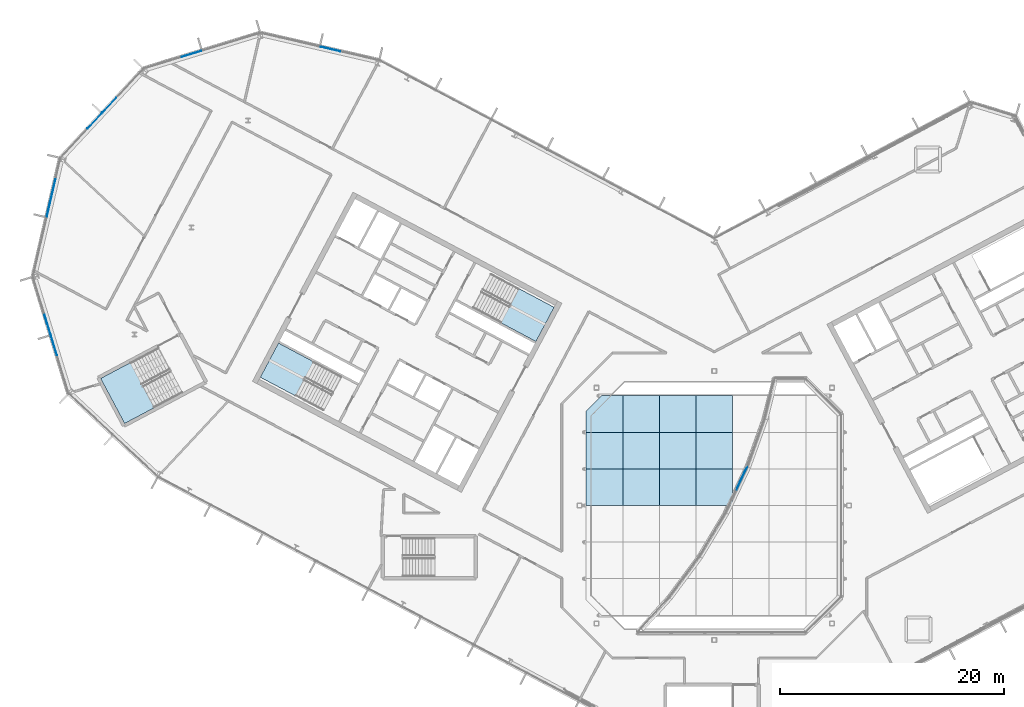
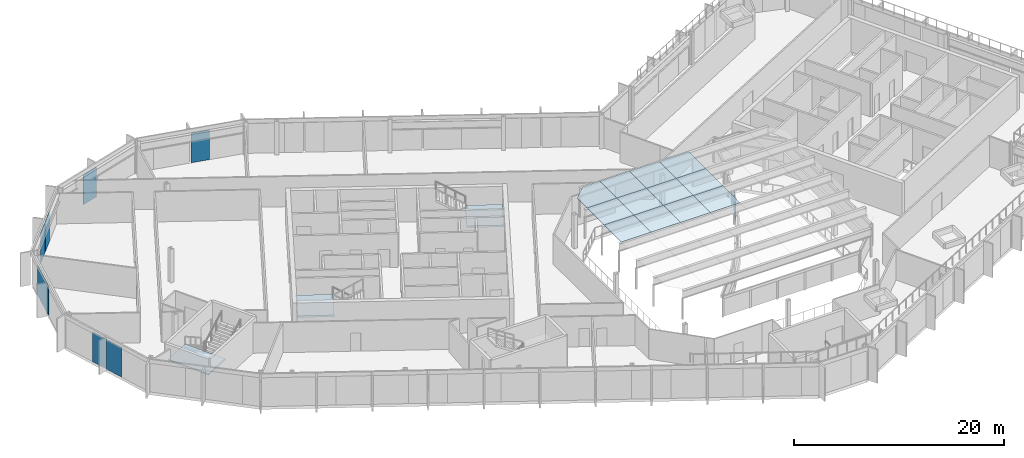
# One storey, part 20 of 35: 20 plates, 3 slabs, 10 elements without a shape of their own.
"""IFC4 building model written with IfcOpenShell, lengths in metres."""

from ifc_helpers import new_model, si_unit, direction, frame, origin, origin_2d, place, context, subcontext, project, spatial, polyline, rectangle, outline, extrude, material, layer, layer_set, type_object, element, aggregate, save


model = new_model("IFC4")

# Units and contexts
model_context = context("Model", 3, precision=1e-05, world=origin(), true_north=direction((0.0, 1.0)))
body_context = subcontext(model_context, "Body", "Model", "MODEL_VIEW")
ifc_project = project(units=[si_unit("LENGTHUNIT", "METRE"), si_unit("AREAUNIT", "SQUARE_METRE"), si_unit("VOLUMEUNIT", "CUBIC_METRE"), si_unit("PLANEANGLEUNIT", "RADIAN"), si_unit("MASSUNIT", "GRAM", prefix="KILO")], contexts=[model_context])

# Site, building, storey
site_placement = place(None, origin())
site = spatial("IfcSite", under=ifc_project, at=site_placement, CompositionType="ELEMENT")
building_placement = place(site_placement, origin())
building = spatial("IfcBuilding", under=site, at=building_placement, Name="Cormorant Relay Tower", CompositionType="ELEMENT")
storey_placement = place(building_placement, frame((0.0, 0.0, 324.300048828125)))
storey = spatial("IfcBuildingStorey", under=building, at=storey_placement, Name="L74", CompositionType="ELEMENT", Elevation=324.300048828125)

# Curtain wall, plate
ifc_material_1 = material(Name="Aluminium 6063-T6 anodised bronze", Category="aluminium")
ifc_layer_1 = layer(ifc_material_1, 0.199951171875)
ifc_layer_set_1 = layer_set([ifc_layer_1], Name="CW1 unitised bronze curtain wall with vertical fins")
curtain_wall_type_1 = type_object("IfcCurtainWallType", Name="CW1 unitised bronze curtain wall with vertical fins", PredefinedType="NOTDEFINED", material=ifc_layer_set_1)
curtain_wall_1_placement = place(storey_placement, origin())
curtain_wall_1 = element("IfcCurtainWall", 1, at=curtain_wall_1_placement, inside=storey, type_object=curtain_wall_type_1, Name="CW1 curtain wall 10", PredefinedType="NOTDEFINED")
ifc_material_2 = material(Name="Tinted laminated glass", Category="glass")
ifc_layer_2 = layer(ifc_material_2, 0.0400390625)
ifc_layer_set_2 = layer_set([ifc_layer_2], Name="CW1 tinted vision panel 1800 module")
plate_type_1 = type_object("IfcPlateType", Name="CW1 tinted vision panel 1800 module", PredefinedType="CURTAIN_PANEL", material=ifc_layer_set_2)
plate_1_placement = place(storey_placement, frame((-34.215087890625, 40.69091796875, 0.0), z_axis=(0.0, 0.0, 1.0), x_axis=(-0.974370064785, 0.224951054344, 0.0)))
plate_1 = element("IfcPlate", 2, at=plate_1_placement, type_object=plate_type_1, Name="CW1 panel V01", PredefinedType="CURTAIN_PANEL", context=body_context, shape_type="SweptSolid", body=[
    extrude(rectangle(XDim=1.800048828125, YDim=0.0400390625, at=origin_2d()), origin(), (0.0, 0.0, 1.0), 3.449951171875),
])
aggregate(curtain_wall_1, [plate_1])

curtain_wall_2_placement = place(storey_placement, origin())
curtain_wall_2 = element("IfcCurtainWall", 3, at=curtain_wall_2_placement, inside=storey, type_object=curtain_wall_type_1, Name="CW1 curtain wall 11", PredefinedType="NOTDEFINED")
plate_2_placement = place(storey_placement, frame((-46.6015625, 40.25830078125, 0.0), z_axis=(0.0, 0.0, 1.0), x_axis=(-0.956304755963, -0.292371704723, 0.0)))
plate_2 = element("IfcPlate", 4, at=plate_2_placement, type_object=plate_type_1, Name="CW1 panel V01", PredefinedType="CURTAIN_PANEL", context=body_context, shape_type="SweptSolid", body=[
    extrude(rectangle(XDim=1.800048828125, YDim=0.0400390625, at=origin_2d()), origin(), (0.0, 0.0, 1.0), 3.449951171875),
])
aggregate(curtain_wall_2, [plate_2])

# Curtain wall, plates
curtain_wall_3_placement = place(storey_placement, origin())
curtain_wall_3 = element("IfcCurtainWall", 5, at=curtain_wall_3_placement, inside=storey, type_object=curtain_wall_type_1, Name="CW1 curtain wall 12", PredefinedType="NOTDEFINED")
plate_3_placement = place(storey_placement, frame((-53.91748046875, 35.68701171875, 0.0), z_axis=(0.0, 0.0, 1.0), x_axis=(-0.681998360062, -0.731353701619, 0.0)))
plate_3 = element("IfcPlate", 6, at=plate_3_placement, type_object=plate_type_1, Name="CW1 panel V01", PredefinedType="CURTAIN_PANEL", context=body_context, shape_type="SweptSolid", body=[
    extrude(rectangle(XDim=1.800048828125, YDim=0.0400390625, at=origin_2d()), origin(), (0.0, 0.0, 1.0), 3.449951171875),
])
plate_4_placement = place(storey_placement, frame((-55.247314453125, 34.2607421875, 0.0), z_axis=(0.0, 0.0, 1.0), x_axis=(-0.681998360062, -0.731353701619, 0.0)))
plate_4 = element("IfcPlate", 7, at=plate_4_placement, type_object=plate_type_1, Name="CW1 panel V02", PredefinedType="CURTAIN_PANEL", context=body_context, shape_type="SweptSolid", body=[
    extrude(rectangle(XDim=1.800048828125, YDim=0.0400390625, at=origin_2d()), origin(), (0.0, 0.0, 1.0), 3.449951171875),
])
aggregate(curtain_wall_3, [plate_3, plate_4])

curtain_wall_4_placement = place(storey_placement, origin())
curtain_wall_4 = element("IfcCurtainWall", 8, at=curtain_wall_4_placement, inside=storey, type_object=curtain_wall_type_1, Name="CW1 curtain wall 14", PredefinedType="NOTDEFINED")
plate_5_placement = place(storey_placement, frame((-59.434814453125, 16.122314453125, 0.0), z_axis=(0.0, 0.0, 1.0), x_axis=(0.292371704723, -0.956304755963, 0.0)))
plate_5 = element("IfcPlate", 9, at=plate_5_placement, type_object=plate_type_1, Name="CW1 panel V01", PredefinedType="CURTAIN_PANEL", context=body_context, shape_type="SweptSolid", body=[
    extrude(rectangle(XDim=1.800048828125, YDim=0.0400390625, at=origin_2d()), origin(), (0.0, 0.0, 1.0), 3.449951171875),
])
plate_6_placement = place(storey_placement, frame((-58.86474609375, 14.25732421875, 0.0), z_axis=(0.0, 0.0, 1.0), x_axis=(0.292371704723, -0.956304755963, 0.0)))
plate_6 = element("IfcPlate", 10, at=plate_6_placement, type_object=plate_type_1, Name="CW1 panel V02", PredefinedType="CURTAIN_PANEL", context=body_context, shape_type="SweptSolid", body=[
    extrude(rectangle(XDim=1.800048828125, YDim=0.0400390625, at=origin_2d()), origin(), (0.0, 0.0, 1.0), 3.449951171875),
])
aggregate(curtain_wall_4, [plate_5, plate_6])

# Curtain wall, plate
curtain_wall_5_placement = place(storey_placement, origin())
curtain_wall_5 = element("IfcCurtainWall", 11, at=curtain_wall_5_placement, inside=storey, type_object=curtain_wall_type_1, Name="CW1 curtain wall 13", PredefinedType="NOTDEFINED")
ifc_material_3 = material(Name="Tinted laminated glass", Category="glass")
ifc_layer_3 = layer(ifc_material_3, 0.0400390625)
ifc_layer_set_3 = layer_set([ifc_layer_3], Name="CW1 tinted vision panel 3600 module")
plate_type_2 = type_object("IfcPlateType", Name="CW1 tinted vision panel 3600 module", PredefinedType="CURTAIN_PANEL", material=ifc_layer_set_3)
plate_7_placement = place(storey_placement, frame((-59.094970703125, 27.520751953125, 0.0), z_axis=(0.0, 0.0, 1.0), x_axis=(-0.224951054344, -0.974370064785, 0.0)))
plate_7 = element("IfcPlate", 12, at=plate_7_placement, type_object=plate_type_2, Name="CW1 panel V01", PredefinedType="CURTAIN_PANEL", context=body_context, shape_type="SweptSolid", body=[
    extrude(rectangle(XDim=3.60009765625, YDim=0.0400390625, at=origin_2d()), origin(), (0.0, 0.0, 1.0), 3.449951171875),
])
aggregate(curtain_wall_5, [plate_7])

ifc_material_4 = material(Name="Aluminium 6063-T6 anodised bronze", Category="aluminium")
ifc_layer_4 = layer(ifc_material_4, 0.199951171875)
ifc_layer_set_4 = layer_set([ifc_layer_4], Name="CW5 atrium lantern curtain wall")
curtain_wall_type_2 = type_object("IfcCurtainWallType", Name="CW5 atrium lantern curtain wall", PredefinedType="NOTDEFINED", material=ifc_layer_set_4)
curtain_wall_6_placement = place(storey_placement, origin())
curtain_wall_6 = element("IfcCurtainWall", 13, at=curtain_wall_6_placement, inside=storey, type_object=curtain_wall_type_2, Name="CW5 atrium lantern wall 3", PredefinedType="NOTDEFINED")
ifc_material_5 = material(Name="Clear laminated glass", Category="glass")
ifc_layer_5 = layer(ifc_material_5, 0.0400390625)
ifc_layer_set_5 = layer_set([ifc_layer_5], Name="CW5 clear laminated glass panel 40")
plate_type_3 = type_object("IfcPlateType", Name="CW5 clear laminated glass panel 40", PredefinedType="CURTAIN_PANEL", material=ifc_layer_set_5)
plate_8_placement = place(storey_placement, frame((2.447998046875, 2.43017578125, 3.89990234375), z_axis=(0.0, 0.0, 1.0), x_axis=(-0.42755509343, -0.903989293123, 0.0)))
plate_8 = element("IfcPlate", 14, at=plate_8_placement, type_object=plate_type_3, Name="CW5 panel 3.1", PredefinedType="CURTAIN_PANEL", context=body_context, shape_type="SweptSolid", body=[
    extrude(rectangle(XDim=2.206787109375, YDim=0.0400390625, at=origin_2d()), origin(), (0.0, 0.0, 1.0), 2.14990234375),
])
aggregate(curtain_wall_6, [plate_8])

# Curtain wall, plates
curtain_wall_7_placement = place(storey_placement, origin())
curtain_wall_7 = element("IfcCurtainWall", 15, at=curtain_wall_7_placement, inside=storey, type_object=curtain_wall_type_2, Name="CW5 atrium lantern roof", PredefinedType="NOTDEFINED")
ifc_material_6 = material(Name="Clear laminated glass", Category="glass")
ifc_layer_6 = layer(ifc_material_6, 0.0400390625)
ifc_layer_set_6 = layer_set([ifc_layer_6], Name="CW5 roof glass panel 40")
plate_type_4 = type_object("IfcPlateType", Name="CW5 roof glass panel 40", PredefinedType="CURTAIN_PANEL", material=ifc_layer_set_6)
plate_9_placement = place(storey_placement, frame((-11.419921875, 3.262939453125, 7.2900390625), z_axis=(0.0, 0.0, 1.0), x_axis=(0.0, -1.0, 0.0)))
plate_9 = element("IfcPlate", 16, at=plate_9_placement, type_object=plate_type_4, Name="CW5 roof panel 22", PredefinedType="CURTAIN_PANEL", context=body_context, shape_type="SweptSolid", body=[
    extrude(outline(polyline([(0.0, 0.0), (3.262939453125, 0.0), (3.262939453125, 3.262939453125), (0.0, 3.262939453125), (0.0, 0.0)])), origin(), (0.0, 0.0, -1.0), 0.0400390625),
])
plate_10_placement = place(storey_placement, frame((-4.894287109375, 0.0, 7.2900390625), z_axis=(0.0, 0.0, 1.0), x_axis=(0.0, 1.0, 0.0)))
plate_10 = element("IfcPlate", 17, at=plate_10_placement, type_object=plate_type_4, Name="CW5 roof panel 23", PredefinedType="CURTAIN_PANEL", context=body_context, shape_type="SweptSolid", body=[
    extrude(outline(polyline([(0.0, 0.0), (3.262939453125, 0.0), (3.262939453125, 3.2626953125), (0.0, 3.2626953125), (0.0, 0.0)])), origin(), (0.0, 0.0, -1.0), 0.0400390625),
])
plate_11_placement = place(storey_placement, frame((-1.63134765625, 0.0, 7.2900390625), z_axis=(0.0, 0.0, 1.0), x_axis=(0.0, 1.0, 0.0)))
plate_11 = element("IfcPlate", 18, at=plate_11_placement, type_object=plate_type_4, Name="CW5 roof panel 24", PredefinedType="CURTAIN_PANEL", context=body_context, shape_type="SweptSolid", body=[
    extrude(outline(polyline([(0.0, 0.0), (3.262939453125, 0.0), (3.262939453125, 3.262939453125), (0.0, 3.262939453125), (0.0, 0.0)])), origin(), (0.0, 0.0, -1.0), 0.0400390625),
])
plate_12_placement = place(storey_placement, frame((1.63134765625, 0.0, 7.2900390625), z_axis=(0.0, 0.0, 1.0), x_axis=(0.0, 1.0, 0.0)))
plate_12 = element("IfcPlate", 19, at=plate_12_placement, type_object=plate_type_4, Name="CW5 roof panel 25", PredefinedType="CURTAIN_PANEL", context=body_context, shape_type="SweptSolid", body=[
    extrude(outline(polyline([(0.0, 0.0), (3.262939453125, 0.0), (3.262939453125, 3.2626953125), (0.0, 3.2626953125), (0.0, 0.0)])), origin(), (0.0, 0.0, -1.0), 0.0400390625),
])
plate_13_placement = place(storey_placement, frame((-11.419921875, 6.525634765625, 7.2900390625), z_axis=(0.0, 0.0, 1.0), x_axis=(0.0, -1.0, 0.0)))
plate_13 = element("IfcPlate", 20, at=plate_13_placement, type_object=plate_type_4, Name="CW5 roof panel 29", PredefinedType="CURTAIN_PANEL", context=body_context, shape_type="SweptSolid", body=[
    extrude(outline(polyline([(0.0, 0.0), (3.2626953125, 0.0), (3.2626953125, 3.262939453125), (0.0, 3.262939453125), (0.0, 0.0)])), origin(), (0.0, 0.0, -1.0), 0.0400390625),
])
plate_14_placement = place(storey_placement, frame((-4.894287109375, 3.262939453125, 7.2900390625), z_axis=(0.0, 0.0, 1.0), x_axis=(0.0, 1.0, 0.0)))
plate_14 = element("IfcPlate", 21, at=plate_14_placement, type_object=plate_type_4, Name="CW5 roof panel 30", PredefinedType="CURTAIN_PANEL", context=body_context, shape_type="SweptSolid", body=[
    extrude(outline(polyline([(0.0, 0.0), (3.2626953125, 0.0), (3.2626953125, 3.2626953125), (0.0, 3.2626953125), (0.0, 0.0)])), origin(), (0.0, 0.0, -1.0), 0.0400390625),
])
plate_15_placement = place(storey_placement, frame((-1.63134765625, 3.262939453125, 7.2900390625), z_axis=(0.0, 0.0, 1.0), x_axis=(0.0, 1.0, 0.0)))
plate_15 = element("IfcPlate", 22, at=plate_15_placement, type_object=plate_type_4, Name="CW5 roof panel 31", PredefinedType="CURTAIN_PANEL", context=body_context, shape_type="SweptSolid", body=[
    extrude(outline(polyline([(0.0, 0.0), (3.2626953125, 0.0), (3.2626953125, 3.262939453125), (0.0, 3.262939453125), (0.0, 0.0)])), origin(), (0.0, 0.0, -1.0), 0.0400390625),
])
plate_16_placement = place(storey_placement, frame((1.63134765625, 3.262939453125, 7.2900390625), z_axis=(0.0, 0.0, 1.0), x_axis=(0.0, 1.0, 0.0)))
plate_16 = element("IfcPlate", 23, at=plate_16_placement, type_object=plate_type_4, Name="CW5 roof panel 32", PredefinedType="CURTAIN_PANEL", context=body_context, shape_type="SweptSolid", body=[
    extrude(outline(polyline([(0.0, 0.0), (3.2626953125, 0.0), (3.2626953125, 3.2626953125), (0.0, 3.2626953125), (0.0, 0.0)])), origin(), (0.0, 0.0, -1.0), 0.0400390625),
])
plate_17_placement = place(storey_placement, frame((-10.051513671875, 9.78857421875, 7.2900390625), z_axis=(0.0, 0.0, 1.0), x_axis=(-0.707043705786, -0.707169850961, 0.0)))
plate_17 = element("IfcPlate", 24, at=plate_17_placement, type_object=plate_type_4, Name="CW5 roof panel 36", PredefinedType="CURTAIN_PANEL", context=body_context, shape_type="SweptSolid", body=[
    extrude(outline(polyline([(0.0, 0.0), (1.9353940809127634, 0.0), (3.274976813726943, 1.3393437776352972), (0.9679360110338446, 3.6467961843966723), (-1.3395163957275302, 1.3397553817035743), (0.0, 0.0)])), origin(), (0.0, 0.0, -1.0), 0.0400390625),
])
plate_18_placement = place(storey_placement, frame((-4.894287109375, 6.525634765625, 7.2900390625), z_axis=(0.0, 0.0, 1.0), x_axis=(0.0, 1.0, 0.0)))
plate_18 = element("IfcPlate", 25, at=plate_18_placement, type_object=plate_type_4, Name="CW5 roof panel 37", PredefinedType="CURTAIN_PANEL", context=body_context, shape_type="SweptSolid", body=[
    extrude(outline(polyline([(0.0, 0.0), (3.262939453125, 0.0), (3.262939453125, 3.2626953125), (0.0, 3.2626953125), (0.0, 0.0)])), origin(), (0.0, 0.0, -1.0), 0.0400390625),
])
plate_19_placement = place(storey_placement, frame((-1.63134765625, 6.525634765625, 7.2900390625), z_axis=(0.0, 0.0, 1.0), x_axis=(0.0, 1.0, 0.0)))
plate_19 = element("IfcPlate", 26, at=plate_19_placement, type_object=plate_type_4, Name="CW5 roof panel 38", PredefinedType="CURTAIN_PANEL", context=body_context, shape_type="SweptSolid", body=[
    extrude(outline(polyline([(0.0, 0.0), (3.262939453125, 0.0), (3.262939453125, 3.262939453125), (0.0, 3.262939453125), (0.0, 0.0)])), origin(), (0.0, 0.0, -1.0), 0.0400390625),
])
plate_20_placement = place(storey_placement, frame((1.63134765625, 6.525634765625, 7.2900390625), z_axis=(0.0, 0.0, 1.0), x_axis=(0.0, 1.0, 0.0)))
plate_20 = element("IfcPlate", 27, at=plate_20_placement, type_object=plate_type_4, Name="CW5 roof panel 39", PredefinedType="CURTAIN_PANEL", context=body_context, shape_type="SweptSolid", body=[
    extrude(outline(polyline([(0.0, 0.0), (3.262939453125, 0.0), (3.262939453125, 3.2626953125), (0.0, 3.2626953125), (0.0, 0.0)])), origin(), (0.0, 0.0, -1.0), 0.0400390625),
])
aggregate(curtain_wall_7, [plate_9, plate_10, plate_11, plate_12, plate_13, plate_14, plate_15, plate_16, plate_17, plate_18, plate_19, plate_20])

# Stair, slab
ifc_material_7 = material(Name="Concrete 40 MPa", Category="concrete")
stair_type_1 = type_object("IfcStairType", Name="Exit stair 1500", PredefinedType="HALF_TURN_STAIR", material=ifc_material_7)
stair_1_placement = place(storey_placement, origin())
stair_1 = element("IfcStair", 28, at=stair_1_placement, inside=storey, type_object=stair_type_1, Name="L74 Stair", PredefinedType="HALF_TURN_STAIR")
ifc_material_8 = material(Name="Concrete 40 MPa", Category="concrete")
ifc_layer_7 = layer(ifc_material_8, 0.199951171875)
ifc_layer_set_7 = layer_set([ifc_layer_7], Name="Exit stair landing 200")
slab_type = type_object("IfcSlabType", Name="Exit stair landing 200", PredefinedType="LANDING", material=ifc_layer_set_7)
slab_1_placement = place(storey_placement, frame((0.0, 0.0, 1.75)))
slab_1 = element("IfcSlab", 29, at=slab_1_placement, type_object=slab_type, Name="A1 landing 1", PredefinedType="LANDING", context=body_context, shape_type="SweptSolid", body=[
    extrude(outline(polyline([(-19.029541015625, 16.29052734375), (-15.89501953125, 14.6240234375), (-14.275390625, 17.670166015625), (-17.40966796875, 19.3369140625), (-19.029541015625, 16.29052734375)])), origin(), (0.0, 0.0, 1.0), 0.199951171875),
])
aggregate(stair_1, [slab_1])

stair_2_placement = place(storey_placement, origin())
stair_2 = element("IfcStair", 30, at=stair_2_placement, inside=storey, type_object=stair_type_1, Name="L74 Stair", PredefinedType="HALF_TURN_STAIR")
slab_2_placement = place(storey_placement, frame((0.0, 0.0, 1.75)))
slab_2 = element("IfcSlab", 31, at=slab_2_placement, type_object=slab_type, Name="A2 landing 1", PredefinedType="LANDING", context=body_context, shape_type="SweptSolid", body=[
    extrude(outline(polyline([(-35.71337890625, 12.816650390625), (-38.84765625, 14.483154296875), (-40.467529296875, 11.43701171875), (-37.3330078125, 9.7705078125), (-35.71337890625, 12.816650390625)])), origin(), (0.0, 0.0, 1.0), 0.199951171875),
])
aggregate(stair_2, [slab_2])

ifc_material_9 = material(Name="Concrete 40 MPa", Category="concrete")
stair_type_2 = type_object("IfcStairType", Name="Remote exit stair 2200", PredefinedType="HALF_TURN_STAIR", material=ifc_material_9)
stair_3_placement = place(storey_placement, origin())
stair_3 = element("IfcStair", 32, at=stair_3_placement, inside=storey, type_object=stair_type_2, Name="L74 Stair", PredefinedType="HALF_TURN_STAIR")
slab_3_placement = place(storey_placement, frame((0.0, 0.0, 1.75)))
slab_3 = element("IfcSlab", 33, at=slab_3_placement, type_object=slab_type, Name="RP1 landing 1", PredefinedType="LANDING", context=body_context, shape_type="SweptSolid", body=[
    extrude(outline(polyline([(-52.051025390625, 12.7392578125), (-54.699951171875, 11.330810546875), (-52.563720703125, 7.3134765625), (-49.914794921875, 8.721923828125), (-52.051025390625, 12.7392578125)])), origin(), (0.0, 0.0, 1.0), 0.199951171875),
])
aggregate(stair_3, [slab_3])

save(model, "model.ifc")
